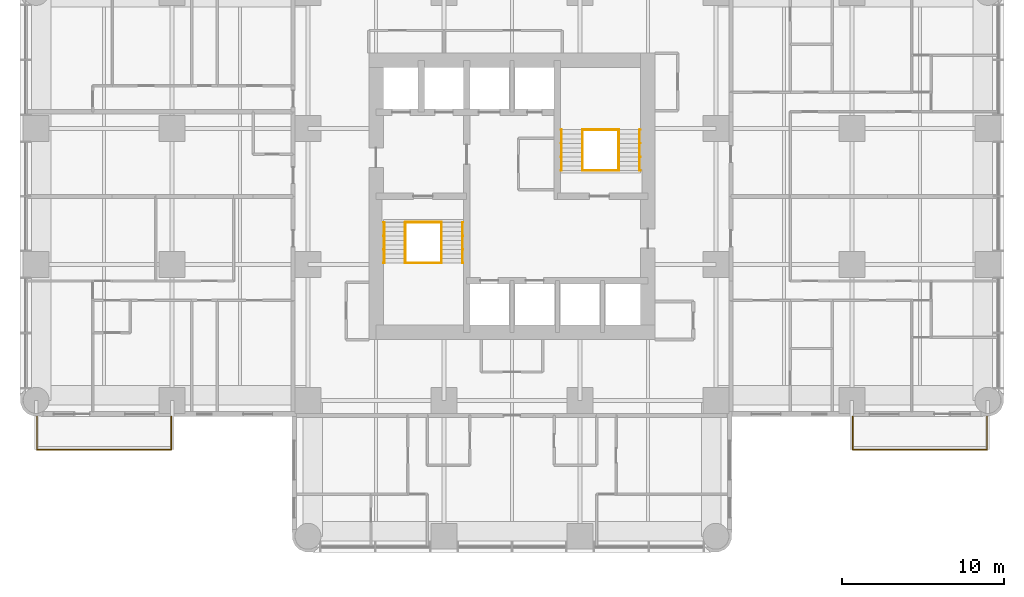
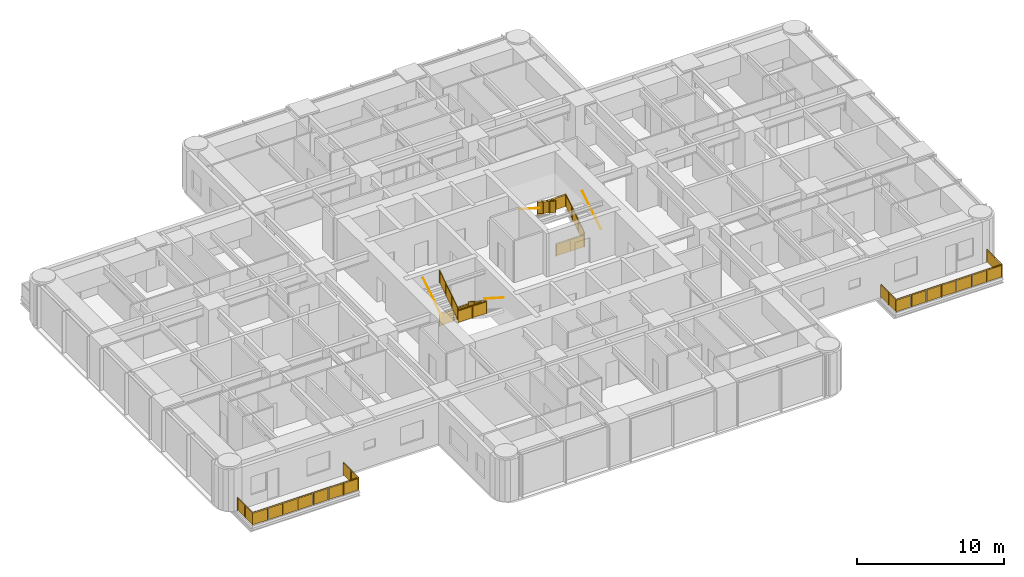
# One storey, part 14 of 15: 14 railings.
"""IFC4 building model written with IfcOpenShell, lengths in metres."""

from ifc_helpers import new_model, si_unit, direction, frame, origin, origin_2d, place, context, subcontext, project, spatial, polyline, circle, outline, extrude, material, constituent, constituent_set, type_object, element, save


model = new_model("IFC4")

# Units and contexts
model_context = context("Model", 3, precision=1e-05, world=origin(), true_north=direction((0.0, 1.0)))
body_context = subcontext(model_context, "Body", "Model", "MODEL_VIEW")
ifc_project = project(units=[si_unit("LENGTHUNIT", "METRE"), si_unit("AREAUNIT", "SQUARE_METRE"), si_unit("VOLUMEUNIT", "CUBIC_METRE"), si_unit("PLANEANGLEUNIT", "RADIAN"), si_unit("MASSUNIT", "GRAM", prefix="KILO")], contexts=[model_context])

# Site, building, storey
site_placement = place(None, origin())
site = spatial("IfcSite", under=ifc_project, at=site_placement, CompositionType="ELEMENT")
building_placement = place(site_placement, origin())
building = spatial("IfcBuilding", under=site, at=building_placement, Name="Torre Alcanfor", CompositionType="ELEMENT")
storey_placement = place(building_placement, frame((0.0, 0.0, 116.10009765625)))
storey = spatial("IfcBuildingStorey", under=building, at=storey_placement, Name="L29", CompositionType="ELEMENT", Elevation=116.10009765625)

# Railings
ifc_material_1 = material(Name="Laminated safety glass", Category="glass")
ifc_constituent_1 = constituent(ifc_material_1, Name="Infill")
ifc_material_2 = material(Name="Stainless steel ASTM A554 Grade MT 316L tube", Category="steel")
ifc_constituent_2 = constituent(ifc_material_2, Name="Posts and rail")
ifc_constituent_set = constituent_set(constituents=[ifc_constituent_1, ifc_constituent_2], Name="Balcony guard glass 1100")
railing_type_1 = type_object("IfcRailingType", Name="Balcony guard glass 1100", PredefinedType="BALUSTRADE", material=ifc_constituent_set)
railing_1_placement = place(storey_placement, frame((50.449951171875, 15.800048828125, 0.0)))
element("IfcRailing", 1, at=railing_1_placement, inside=storey, type_object=railing_type_1, Name="Balcony guard L29-E2", PredefinedType="BALUSTRADE", context=body_context, shape_type="SweptSolid", body=[
    extrude(circle(Radius=0.02392578125, at=origin_2d()), frame((0.0, 0.0, 1.076171875), z_axis=(0.0, -1.0, 0.0), x_axis=(1.0, 0.0, 0.0)), (0.0, 0.0, 1.0), 2.050048828125),
    extrude(circle(Radius=0.02392578125, at=origin_2d()), frame((0.0, -2.050048828125, 1.076171875), z_axis=(1.0, 0.0, 0.0), x_axis=(0.0, 1.0, 0.0)), (0.0, 0.0, 1.0), 8.300048828125),
    extrude(circle(Radius=0.02392578125, at=origin_2d()), frame((8.300048828125, -2.050048828125, 1.076171875), z_axis=(0.0, 1.0, 0.0), x_axis=(-1.0, 0.0, 0.0)), (0.0, 0.0, 1.0), 2.050048828125),
    extrude(circle(Radius=0.02099609375, at=origin_2d()), origin(), (0.0, 0.0, 1.0), 1.052001953125),
    extrude(circle(Radius=0.02099609375, at=origin_2d()), frame((0.0, -1.02490234375, 0.0)), (0.0, 0.0, 1.0), 1.052001953125),
    extrude(circle(Radius=0.02099609375, at=origin_2d()), frame((0.0, -2.050048828125, 0.0)), (0.0, 0.0, 1.0), 1.052001953125),
    extrude(circle(Radius=0.02099609375, at=origin_2d()), frame((1.185791015625, -2.050048828125, 0.0)), (0.0, 0.0, 1.0), 1.052001953125),
    extrude(circle(Radius=0.02099609375, at=origin_2d()), frame((2.371337890625, -2.050048828125, 0.0)), (0.0, 0.0, 1.0), 1.052001953125),
    extrude(circle(Radius=0.02099609375, at=origin_2d()), frame((3.55712890625, -2.050048828125, 0.0)), (0.0, 0.0, 1.0), 1.052001953125),
    extrude(circle(Radius=0.02099609375, at=origin_2d()), frame((4.742919921875, -2.050048828125, 0.0)), (0.0, 0.0, 1.0), 1.052001953125),
    extrude(circle(Radius=0.02099609375, at=origin_2d()), frame((5.9287109375, -2.050048828125, 0.0)), (0.0, 0.0, 1.0), 1.052001953125),
    extrude(circle(Radius=0.02099609375, at=origin_2d()), frame((7.1142578125, -2.050048828125, 0.0)), (0.0, 0.0, 1.0), 1.052001953125),
    extrude(circle(Radius=0.02099609375, at=origin_2d()), frame((8.300048828125, -2.050048828125, 0.0)), (0.0, 0.0, 1.0), 1.052001953125),
    extrude(circle(Radius=0.02099609375, at=origin_2d()), frame((8.300048828125, -1.02490234375, 0.0)), (0.0, 0.0, 1.0), 1.052001953125),
    extrude(circle(Radius=0.02099609375, at=origin_2d()), frame((8.300048828125, 0.0, 0.0)), (0.0, 0.0, 1.0), 1.052001953125),
    extrude(outline(polyline([(0.041015625, 0.050048828125), (0.984130859375, 0.050048828125), (0.984130859375, 1.001953125), (0.041015625, 1.001953125), (0.041015625, 0.050048828125)])), frame((0.005859375, 0.0, 0.0), z_axis=(-1.0, 0.0, 0.0), x_axis=(0.0, -1.0, 0.0)), (0.0, 0.0, 1.0), 0.011962890625),
    extrude(outline(polyline([(1.06591796875, 0.050048828125), (2.009033203125, 0.050048828125), (2.009033203125, 1.001953125), (1.06591796875, 1.001953125), (1.06591796875, 0.050048828125)])), frame((0.005859375, 0.0, 0.0), z_axis=(-1.0, 0.0, 0.0), x_axis=(0.0, -1.0, 0.0)), (0.0, 0.0, 1.0), 0.011962890625),
    extrude(outline(polyline([(0.041015625, 0.050048828125), (1.144775390625, 0.050048828125), (1.144775390625, 1.001953125), (0.041015625, 1.001953125), (0.041015625, 0.050048828125)])), frame((0.0, -2.0439453125, 0.0), z_axis=(0.0, -1.0, 0.0), x_axis=(1.0, 0.0, 0.0)), (0.0, 0.0, 1.0), 0.011962890625),
    extrude(outline(polyline([(1.226806640625, 0.050048828125), (2.330322265625, 0.050048828125), (2.330322265625, 1.001953125), (1.226806640625, 1.001953125), (1.226806640625, 0.050048828125)])), frame((0.0, -2.0439453125, 0.0), z_axis=(0.0, -1.0, 0.0), x_axis=(1.0, 0.0, 0.0)), (0.0, 0.0, 1.0), 0.011962890625),
    extrude(outline(polyline([(2.412353515625, 0.050048828125), (3.51611328125, 0.050048828125), (3.51611328125, 1.001953125), (2.412353515625, 1.001953125), (2.412353515625, 0.050048828125)])), frame((0.0, -2.0439453125, 0.0), z_axis=(0.0, -1.0, 0.0), x_axis=(1.0, 0.0, 0.0)), (0.0, 0.0, 1.0), 0.011962890625),
    extrude(outline(polyline([(3.59814453125, 0.050048828125), (4.701904296875, 0.050048828125), (4.701904296875, 1.001953125), (3.59814453125, 1.001953125), (3.59814453125, 0.050048828125)])), frame((0.0, -2.0439453125, 0.0), z_axis=(0.0, -1.0, 0.0), x_axis=(1.0, 0.0, 0.0)), (0.0, 0.0, 1.0), 0.011962890625),
    extrude(outline(polyline([(4.783935546875, 0.050048828125), (5.8876953125, 0.050048828125), (5.8876953125, 1.001953125), (4.783935546875, 1.001953125), (4.783935546875, 0.050048828125)])), frame((0.0, -2.0439453125, 0.0), z_axis=(0.0, -1.0, 0.0), x_axis=(1.0, 0.0, 0.0)), (0.0, 0.0, 1.0), 0.011962890625),
    extrude(outline(polyline([(5.9697265625, 0.050048828125), (7.0732421875, 0.050048828125), (7.0732421875, 1.001953125), (5.9697265625, 1.001953125), (5.9697265625, 0.050048828125)])), frame((0.0, -2.0439453125, 0.0), z_axis=(0.0, -1.0, 0.0), x_axis=(1.0, 0.0, 0.0)), (0.0, 0.0, 1.0), 0.011962890625),
    extrude(outline(polyline([(7.1552734375, 0.050048828125), (8.259033203125, 0.050048828125), (8.259033203125, 1.001953125), (7.1552734375, 1.001953125), (7.1552734375, 0.050048828125)])), frame((0.0, -2.0439453125, 0.0), z_axis=(0.0, -1.0, 0.0), x_axis=(1.0, 0.0, 0.0)), (0.0, 0.0, 1.0), 0.011962890625),
    extrude(outline(polyline([(0.041015625, 0.050048828125), (0.984130859375, 0.050048828125), (0.984130859375, 1.001953125), (0.041015625, 1.001953125), (0.041015625, 0.050048828125)])), frame((8.2939453125, -2.050048828125, 0.0), z_axis=(1.0, 0.0, 0.0), x_axis=(0.0, 1.0, 0.0)), (0.0, 0.0, 1.0), 0.011962890625),
    extrude(outline(polyline([(1.06591796875, 0.050048828125), (2.009033203125, 0.050048828125), (2.009033203125, 1.001953125), (1.06591796875, 1.001953125), (1.06591796875, 0.050048828125)])), frame((8.2939453125, -2.050048828125, 0.0), z_axis=(1.0, 0.0, 0.0), x_axis=(0.0, 1.0, 0.0)), (0.0, 0.0, 1.0), 0.011962890625),
])
railing_2_placement = place(storey_placement, frame((8.35009765625, 15.800048828125, 0.0)))
element("IfcRailing", 2, at=railing_2_placement, inside=storey, type_object=railing_type_1, Name="Balcony guard L29-W1", PredefinedType="BALUSTRADE", context=body_context, shape_type="SweptSolid", body=[
    extrude(circle(Radius=0.02392578125, at=origin_2d()), frame((0.0, 0.0, 1.076171875), z_axis=(0.0, -1.0, 0.0), x_axis=(1.0, 0.0, 0.0)), (0.0, 0.0, 1.0), 2.050048828125),
    extrude(circle(Radius=0.02392578125, at=origin_2d()), frame((0.0, -2.050048828125, 1.076171875), z_axis=(-1.0, 0.0, 0.0), x_axis=(0.0, -1.0, 0.0)), (0.0, 0.0, 1.0), 8.300048828125),
    extrude(circle(Radius=0.02392578125, at=origin_2d()), frame((-8.300048828125, -2.050048828125, 1.076171875), z_axis=(0.0, 1.0, 0.0), x_axis=(-1.0, 0.0, 0.0)), (0.0, 0.0, 1.0), 2.050048828125),
    extrude(circle(Radius=0.02099609375, at=origin_2d()), origin(), (0.0, 0.0, 1.0), 1.052001953125),
    extrude(circle(Radius=0.02099609375, at=origin_2d()), frame((0.0, -1.02490234375, 0.0)), (0.0, 0.0, 1.0), 1.052001953125),
    extrude(circle(Radius=0.02099609375, at=origin_2d()), frame((0.0, -2.050048828125, 0.0)), (0.0, 0.0, 1.0), 1.052001953125),
    extrude(circle(Radius=0.02099609375, at=origin_2d()), frame((-1.185791015625, -2.050048828125, 0.0)), (0.0, 0.0, 1.0), 1.052001953125),
    extrude(circle(Radius=0.02099609375, at=origin_2d()), frame((-2.371337890625, -2.050048828125, 0.0)), (0.0, 0.0, 1.0), 1.052001953125),
    extrude(circle(Radius=0.02099609375, at=origin_2d()), frame((-3.55712890625, -2.050048828125, 0.0)), (0.0, 0.0, 1.0), 1.052001953125),
    extrude(circle(Radius=0.02099609375, at=origin_2d()), frame((-4.742919921875, -2.050048828125, 0.0)), (0.0, 0.0, 1.0), 1.052001953125),
    extrude(circle(Radius=0.02099609375, at=origin_2d()), frame((-5.9287109375, -2.050048828125, 0.0)), (0.0, 0.0, 1.0), 1.052001953125),
    extrude(circle(Radius=0.02099609375, at=origin_2d()), frame((-7.1142578125, -2.050048828125, 0.0)), (0.0, 0.0, 1.0), 1.052001953125),
    extrude(circle(Radius=0.02099609375, at=origin_2d()), frame((-8.300048828125, -2.050048828125, 0.0)), (0.0, 0.0, 1.0), 1.052001953125),
    extrude(circle(Radius=0.02099609375, at=origin_2d()), frame((-8.300048828125, -1.02490234375, 0.0)), (0.0, 0.0, 1.0), 1.052001953125),
    extrude(circle(Radius=0.02099609375, at=origin_2d()), frame((-8.300048828125, 0.0, 0.0)), (0.0, 0.0, 1.0), 1.052001953125),
    extrude(outline(polyline([(0.041015625, 0.050048828125), (0.984130859375, 0.050048828125), (0.984130859375, 1.001953125), (0.041015625, 1.001953125), (0.041015625, 0.050048828125)])), frame((0.005859375, 0.0, 0.0), z_axis=(-1.0, 0.0, 0.0), x_axis=(0.0, -1.0, 0.0)), (0.0, 0.0, 1.0), 0.011962890625),
    extrude(outline(polyline([(1.06591796875, 0.050048828125), (2.009033203125, 0.050048828125), (2.009033203125, 1.001953125), (1.06591796875, 1.001953125), (1.06591796875, 0.050048828125)])), frame((0.005859375, 0.0, 0.0), z_axis=(-1.0, 0.0, 0.0), x_axis=(0.0, -1.0, 0.0)), (0.0, 0.0, 1.0), 0.011962890625),
    extrude(outline(polyline([(0.041015625, 0.050048828125), (1.144775390625, 0.050048828125), (1.144775390625, 1.001953125), (0.041015625, 1.001953125), (0.041015625, 0.050048828125)])), frame((0.0, -2.05615234375, 0.0), z_axis=(0.0, 1.0, 0.0), x_axis=(-1.0, 0.0, 0.0)), (0.0, 0.0, 1.0), 0.011962890625),
    extrude(outline(polyline([(1.226806640625, 0.050048828125), (2.330322265625, 0.050048828125), (2.330322265625, 1.001953125), (1.226806640625, 1.001953125), (1.226806640625, 0.050048828125)])), frame((0.0, -2.05615234375, 0.0), z_axis=(0.0, 1.0, 0.0), x_axis=(-1.0, 0.0, 0.0)), (0.0, 0.0, 1.0), 0.011962890625),
    extrude(outline(polyline([(2.412353515625, 0.050048828125), (3.51611328125, 0.050048828125), (3.51611328125, 1.001953125), (2.412353515625, 1.001953125), (2.412353515625, 0.050048828125)])), frame((0.0, -2.05615234375, 0.0), z_axis=(0.0, 1.0, 0.0), x_axis=(-1.0, 0.0, 0.0)), (0.0, 0.0, 1.0), 0.011962890625),
    extrude(outline(polyline([(3.59814453125, 0.050048828125), (4.701904296875, 0.050048828125), (4.701904296875, 1.001953125), (3.59814453125, 1.001953125), (3.59814453125, 0.050048828125)])), frame((0.0, -2.05615234375, 0.0), z_axis=(0.0, 1.0, 0.0), x_axis=(-1.0, 0.0, 0.0)), (0.0, 0.0, 1.0), 0.011962890625),
    extrude(outline(polyline([(4.783935546875, 0.050048828125), (5.8876953125, 0.050048828125), (5.8876953125, 1.001953125), (4.783935546875, 1.001953125), (4.783935546875, 0.050048828125)])), frame((0.0, -2.05615234375, 0.0), z_axis=(0.0, 1.0, 0.0), x_axis=(-1.0, 0.0, 0.0)), (0.0, 0.0, 1.0), 0.011962890625),
    extrude(outline(polyline([(5.9697265625, 0.050048828125), (7.0732421875, 0.050048828125), (7.0732421875, 1.001953125), (5.9697265625, 1.001953125), (5.9697265625, 0.050048828125)])), frame((0.0, -2.05615234375, 0.0), z_axis=(0.0, 1.0, 0.0), x_axis=(-1.0, 0.0, 0.0)), (0.0, 0.0, 1.0), 0.011962890625),
    extrude(outline(polyline([(7.1552734375, 0.050048828125), (8.259033203125, 0.050048828125), (8.259033203125, 1.001953125), (7.1552734375, 1.001953125), (7.1552734375, 0.050048828125)])), frame((0.0, -2.05615234375, 0.0), z_axis=(0.0, 1.0, 0.0), x_axis=(-1.0, 0.0, 0.0)), (0.0, 0.0, 1.0), 0.011962890625),
    extrude(outline(polyline([(0.041015625, 0.050048828125), (0.984130859375, 0.050048828125), (0.984130859375, 1.001953125), (0.041015625, 1.001953125), (0.041015625, 0.050048828125)])), frame((-8.30615234375, -2.050048828125, 0.0), z_axis=(1.0, 0.0, 0.0), x_axis=(0.0, 1.0, 0.0)), (0.0, 0.0, 1.0), 0.011962890625),
    extrude(outline(polyline([(1.06591796875, 0.050048828125), (2.009033203125, 0.050048828125), (2.009033203125, 1.001953125), (1.06591796875, 1.001953125), (1.06591796875, 0.050048828125)])), frame((-8.30615234375, -2.050048828125, 0.0), z_axis=(1.0, 0.0, 0.0), x_axis=(0.0, 1.0, 0.0)), (0.0, 0.0, 1.0), 0.011962890625),
])
ifc_material_3 = material(Name="Steel ASTM A500 Grade C hollow sections", Category="steel")
railing_type_2 = type_object("IfcRailingType", Name="Stair guard and handrail 1100", PredefinedType="GUARDRAIL", material=ifc_material_3)
railing_3_placement = place(storey_placement, frame((25.050048828125, 27.800048828125, 0.179931640625)))
element("IfcRailing", 3, at=railing_3_placement, inside=storey, type_object=railing_type_2, Name="Stair guard S1 L29 flight 1", PredefinedType="GUARDRAIL", context=body_context, shape_type="SweptSolid", body=[
    extrude(circle(Radius=0.02392578125, at=origin_2d()), frame((0.0, 0.0, 1.076171875), z_axis=(0.0, -0.841199657755, 0.540724639528), x_axis=(1.0, 0.0, 0.0)), (0.0, 0.0, 1.0), 2.995849609375),
    extrude(circle(Radius=0.02099609375, at=origin_2d()), origin(), (0.0, 0.0, 1.0), 1.052001953125),
    extrude(circle(Radius=0.02099609375, at=origin_2d()), frame((0.0, -0.840087890625, 0.5400390625)), (0.0, 0.0, 1.0), 1.052001953125),
    extrude(circle(Radius=0.02099609375, at=origin_2d()), frame((0.0, -1.679931640625, 1.079833984375)), (0.0, 0.0, 1.0), 1.052001953125),
    extrude(circle(Radius=0.02099609375, at=origin_2d()), frame((0.0, -2.52001953125, 1.619873046875)), (0.0, 0.0, 1.0), 1.052001953125),
    extrude(outline(polyline([(0.041015625, 0.076416015625), (0.799072265625, 0.563720703125), (0.799072265625, 1.515625), (0.041015625, 1.0283203125), (0.041015625, 0.076416015625)])), frame((0.005859375, 0.0, 0.0), z_axis=(-1.0, 0.0, 0.0), x_axis=(0.0, -1.0, 0.0)), (0.0, 0.0, 1.0), 0.011962890625),
    extrude(outline(polyline([(0.881103515625, 0.6162109375), (1.638916015625, 1.103515625), (1.638916015625, 2.0556640625), (0.881103515625, 1.568359375), (0.881103515625, 0.6162109375)])), frame((0.005859375, 0.0, 0.0), z_axis=(-1.0, 0.0, 0.0), x_axis=(0.0, -1.0, 0.0)), (0.0, 0.0, 1.0), 0.011962890625),
    extrude(outline(polyline([(1.720947265625, 1.15625), (2.47900390625, 1.6435546875), (2.47900390625, 2.595458984375), (1.720947265625, 2.108154296875), (1.720947265625, 1.15625)])), frame((0.005859375, 0.0, 0.0), z_axis=(-1.0, 0.0, 0.0), x_axis=(0.0, -1.0, 0.0)), (0.0, 0.0, 1.0), 0.011962890625),
])
railing_4_placement = place(storey_placement, frame((22.800048828125, 25.280029296875, 1.97998046875)))
element("IfcRailing", 4, at=railing_4_placement, inside=storey, type_object=railing_type_2, Name="Stair guard S1 L29 flight 2", PredefinedType="GUARDRAIL", context=body_context, shape_type="SweptSolid", body=[
    extrude(circle(Radius=0.02392578125, at=origin_2d()), frame((0.0, 0.0, 1.076171875), z_axis=(0.0, 0.841199657755, 0.540724639528), x_axis=(-1.0, 0.0, 0.0)), (0.0, 0.0, 1.0), 2.995849609375),
    extrude(circle(Radius=0.02099609375, at=origin_2d()), origin(), (0.0, 0.0, 1.0), 1.052001953125),
    extrude(circle(Radius=0.02099609375, at=origin_2d()), frame((0.0, 0.840087890625, 0.5400390625)), (0.0, 0.0, 1.0), 1.052001953125),
    extrude(circle(Radius=0.02099609375, at=origin_2d()), frame((0.0, 1.679931640625, 1.079833984375)), (0.0, 0.0, 1.0), 1.052001953125),
    extrude(circle(Radius=0.02099609375, at=origin_2d()), frame((0.0, 2.52001953125, 1.619873046875)), (0.0, 0.0, 1.0), 1.052001953125),
    extrude(outline(polyline([(0.041015625, 0.076416015625), (0.799072265625, 0.563720703125), (0.799072265625, 1.515625), (0.041015625, 1.0283203125), (0.041015625, 0.076416015625)])), frame((-0.005859375, 0.0, 0.0), z_axis=(1.0, 0.0, 0.0), x_axis=(0.0, 1.0, 0.0)), (0.0, 0.0, 1.0), 0.011962890625),
    extrude(outline(polyline([(0.881103515625, 0.6162109375), (1.638916015625, 1.103515625), (1.638916015625, 2.0556640625), (0.881103515625, 1.568359375), (0.881103515625, 0.6162109375)])), frame((-0.005859375, 0.0, 0.0), z_axis=(1.0, 0.0, 0.0), x_axis=(0.0, 1.0, 0.0)), (0.0, 0.0, 1.0), 0.011962890625),
    extrude(outline(polyline([(1.720947265625, 1.15625), (2.47900390625, 1.6435546875), (2.47900390625, 2.595458984375), (1.720947265625, 2.108154296875), (1.720947265625, 1.15625)])), frame((-0.005859375, 0.0, 0.0), z_axis=(1.0, 0.0, 0.0), x_axis=(0.0, 1.0, 0.0)), (0.0, 0.0, 1.0), 0.011962890625),
])
for number, where, name in (
    (5, (22.800048828125, 27.800048828125, 0.0), "Stair well guard S1 L29 floor landing"),
    (6, (22.800048828125, 25.280029296875, 1.7998046875), "Stair well guard S1 L29 half landing"),
):
    element("IfcRailing", number, at=place(storey_placement, frame(where)), inside=storey, type_object=railing_type_2, Name=name, PredefinedType="GUARDRAIL", context=body_context, shape_type="SweptSolid", body=[
        extrude(circle(Radius=0.02392578125, at=origin_2d()), frame((0.0, 0.0, 1.076171875), z_axis=(1.0, 0.0, 0.0), x_axis=(0.0, 1.0, 0.0)), (0.0, 0.0, 1.0), 2.25),
        extrude(circle(Radius=0.02099609375, at=origin_2d()), origin(), (0.0, 0.0, 1.0), 1.052001953125),
        extrude(circle(Radius=0.02099609375, at=origin_2d()), frame((1.125, 0.0, 0.0)), (0.0, 0.0, 1.0), 1.052001953125),
        extrude(circle(Radius=0.02099609375, at=origin_2d()), frame((2.25, 0.0, 0.0)), (0.0, 0.0, 1.0), 1.052001953125),
        extrude(outline(polyline([(0.041015625, 0.050048828125), (1.083984375, 0.050048828125), (1.083984375, 1.001953125), (0.041015625, 1.001953125), (0.041015625, 0.050048828125)])), frame((0.0, 0.005859375, 0.0), z_axis=(0.0, -1.0, 0.0), x_axis=(1.0, 0.0, 0.0)), (0.0, 0.0, 1.0), 0.011962890625),
        extrude(outline(polyline([(1.166015625, 0.050048828125), (2.208984375, 0.050048828125), (2.208984375, 1.001953125), (1.166015625, 1.001953125), (1.166015625, 0.050048828125)])), frame((0.0, 0.005859375, 0.0), z_axis=(0.0, -1.0, 0.0), x_axis=(1.0, 0.0, 0.0)), (0.0, 0.0, 1.0), 0.011962890625),
    ])
railing_5_placement = place(storey_placement, frame((36.0, 31.0, 0.179931640625)))
element("IfcRailing", 7, at=railing_5_placement, inside=storey, type_object=railing_type_2, Name="Stair guard S2 L29 flight 1", PredefinedType="GUARDRAIL", context=body_context, shape_type="SweptSolid", body=[
    extrude(circle(Radius=0.02392578125, at=origin_2d()), frame((0.0, 0.0, 1.076171875), z_axis=(0.0, 0.841199657755, 0.540724639528), x_axis=(-1.0, 0.0, 0.0)), (0.0, 0.0, 1.0), 2.995849609375),
    extrude(circle(Radius=0.02099609375, at=origin_2d()), origin(), (0.0, 0.0, 1.0), 1.052001953125),
    extrude(circle(Radius=0.02099609375, at=origin_2d()), frame((0.0, 0.840087890625, 0.5400390625)), (0.0, 0.0, 1.0), 1.052001953125),
    extrude(circle(Radius=0.02099609375, at=origin_2d()), frame((0.0, 1.679931640625, 1.079833984375)), (0.0, 0.0, 1.0), 1.052001953125),
    extrude(circle(Radius=0.02099609375, at=origin_2d()), frame((0.0, 2.52001953125, 1.619873046875)), (0.0, 0.0, 1.0), 1.052001953125),
    extrude(outline(polyline([(0.041015625, 0.076416015625), (0.799072265625, 0.563720703125), (0.799072265625, 1.515625), (0.041015625, 1.0283203125), (0.041015625, 0.076416015625)])), frame((-0.005859375, 0.0, 0.0), z_axis=(1.0, 0.0, 0.0), x_axis=(0.0, 1.0, 0.0)), (0.0, 0.0, 1.0), 0.011962890625),
    extrude(outline(polyline([(0.881103515625, 0.6162109375), (1.638916015625, 1.103515625), (1.638916015625, 2.0556640625), (0.881103515625, 1.568359375), (0.881103515625, 0.6162109375)])), frame((-0.005859375, 0.0, 0.0), z_axis=(1.0, 0.0, 0.0), x_axis=(0.0, 1.0, 0.0)), (0.0, 0.0, 1.0), 0.011962890625),
    extrude(outline(polyline([(1.720947265625, 1.15625), (2.47900390625, 1.6435546875), (2.47900390625, 2.595458984375), (1.720947265625, 2.108154296875), (1.720947265625, 1.15625)])), frame((-0.005859375, 0.0, 0.0), z_axis=(1.0, 0.0, 0.0), x_axis=(0.0, 1.0, 0.0)), (0.0, 0.0, 1.0), 0.011962890625),
])
railing_6_placement = place(storey_placement, frame((33.75, 33.52001953125, 1.97998046875)))
element("IfcRailing", 8, at=railing_6_placement, inside=storey, type_object=railing_type_2, Name="Stair guard S2 L29 flight 2", PredefinedType="GUARDRAIL", context=body_context, shape_type="SweptSolid", body=[
    extrude(circle(Radius=0.02392578125, at=origin_2d()), frame((0.0, 0.0, 1.076171875), z_axis=(0.0, -0.841199657755, 0.540724639528), x_axis=(1.0, 0.0, 0.0)), (0.0, 0.0, 1.0), 2.995849609375),
    extrude(circle(Radius=0.02099609375, at=origin_2d()), origin(), (0.0, 0.0, 1.0), 1.052001953125),
    extrude(circle(Radius=0.02099609375, at=origin_2d()), frame((0.0, -0.840087890625, 0.5400390625)), (0.0, 0.0, 1.0), 1.052001953125),
    extrude(circle(Radius=0.02099609375, at=origin_2d()), frame((0.0, -1.679931640625, 1.079833984375)), (0.0, 0.0, 1.0), 1.052001953125),
    extrude(circle(Radius=0.02099609375, at=origin_2d()), frame((0.0, -2.52001953125, 1.619873046875)), (0.0, 0.0, 1.0), 1.052001953125),
    extrude(outline(polyline([(0.041015625, 0.076416015625), (0.799072265625, 0.563720703125), (0.799072265625, 1.515625), (0.041015625, 1.0283203125), (0.041015625, 0.076416015625)])), frame((0.005859375, 0.0, 0.0), z_axis=(-1.0, 0.0, 0.0), x_axis=(0.0, -1.0, 0.0)), (0.0, 0.0, 1.0), 0.011962890625),
    extrude(outline(polyline([(0.881103515625, 0.6162109375), (1.638916015625, 1.103515625), (1.638916015625, 2.0556640625), (0.881103515625, 1.568359375), (0.881103515625, 0.6162109375)])), frame((0.005859375, 0.0, 0.0), z_axis=(-1.0, 0.0, 0.0), x_axis=(0.0, -1.0, 0.0)), (0.0, 0.0, 1.0), 0.011962890625),
    extrude(outline(polyline([(1.720947265625, 1.15625), (2.47900390625, 1.6435546875), (2.47900390625, 2.595458984375), (1.720947265625, 2.108154296875), (1.720947265625, 1.15625)])), frame((0.005859375, 0.0, 0.0), z_axis=(-1.0, 0.0, 0.0), x_axis=(0.0, -1.0, 0.0)), (0.0, 0.0, 1.0), 0.011962890625),
])
for number, where, name in (
    (9, (33.75, 31.0, 0.0), "Stair well guard S2 L29 floor landing"),
    (10, (33.75, 33.52001953125, 1.7998046875), "Stair well guard S2 L29 half landing"),
):
    element("IfcRailing", number, at=place(storey_placement, frame(where)), inside=storey, type_object=railing_type_2, Name=name, PredefinedType="GUARDRAIL", context=body_context, shape_type="SweptSolid", body=[
        extrude(circle(Radius=0.02392578125, at=origin_2d()), frame((0.0, 0.0, 1.076171875), z_axis=(1.0, 0.0, 0.0), x_axis=(0.0, 1.0, 0.0)), (0.0, 0.0, 1.0), 2.25),
        extrude(circle(Radius=0.02099609375, at=origin_2d()), origin(), (0.0, 0.0, 1.0), 1.052001953125),
        extrude(circle(Radius=0.02099609375, at=origin_2d()), frame((1.125, 0.0, 0.0)), (0.0, 0.0, 1.0), 1.052001953125),
        extrude(circle(Radius=0.02099609375, at=origin_2d()), frame((2.25, 0.0, 0.0)), (0.0, 0.0, 1.0), 1.052001953125),
        extrude(outline(polyline([(0.041015625, 0.050048828125), (1.083984375, 0.050048828125), (1.083984375, 1.001953125), (0.041015625, 1.001953125), (0.041015625, 0.050048828125)])), frame((0.0, 0.005859375, 0.0), z_axis=(0.0, -1.0, 0.0), x_axis=(1.0, 0.0, 0.0)), (0.0, 0.0, 1.0), 0.011962890625),
        extrude(outline(polyline([(1.166015625, 0.050048828125), (2.208984375, 0.050048828125), (2.208984375, 1.001953125), (1.166015625, 1.001953125), (1.166015625, 0.050048828125)])), frame((0.0, 0.005859375, 0.0), z_axis=(0.0, -1.0, 0.0), x_axis=(1.0, 0.0, 0.0)), (0.0, 0.0, 1.0), 0.011962890625),
    ])
ifc_material_4 = material(Name="Steel ASTM A500 Grade C hollow sections", Category="steel")
railing_type_3 = type_object("IfcRailingType", Name="Stair wall handrail 900", PredefinedType="HANDRAIL", material=ifc_material_4)
railing_7_placement = place(storey_placement, frame((26.3349609375, 27.800048828125, 0.179931640625)))
element("IfcRailing", 11, at=railing_7_placement, inside=storey, type_object=railing_type_3, Name="Stair handrail S1 L29 flight 1", PredefinedType="HANDRAIL", context=body_context, shape_type="SweptSolid", body=[
    extrude(circle(Radius=0.02392578125, at=origin_2d()), frame((0.0, 0.0, 0.8759765625), z_axis=(0.0, -0.841199657755, 0.540724639528), x_axis=(1.0, 0.0, 0.0)), (0.0, 0.0, 1.0), 2.995849609375),
    extrude(circle(Radius=0.008056640625, at=origin_2d()), frame((0.0, 0.0, 0.8759765625), z_axis=(1.0, 0.0, 0.0), x_axis=(0.0, 0.0, 1.0)), (0.0, 0.0, 1.0), 0.06494140625),
    extrude(circle(Radius=0.008056640625, at=origin_2d()), frame((0.0, -0.840087890625, 1.415771484375), z_axis=(1.0, 0.0, 0.0), x_axis=(0.0, 0.0, 1.0)), (0.0, 0.0, 1.0), 0.06494140625),
    extrude(circle(Radius=0.008056640625, at=origin_2d()), frame((0.0, -1.679931640625, 1.955810546875), z_axis=(1.0, 0.0, 0.0), x_axis=(0.0, 0.0, 1.0)), (0.0, 0.0, 1.0), 0.06494140625),
    extrude(circle(Radius=0.008056640625, at=origin_2d()), frame((0.0, -2.52001953125, 2.49560546875), z_axis=(1.0, 0.0, 0.0), x_axis=(0.0, 0.0, 1.0)), (0.0, 0.0, 1.0), 0.06494140625),
])
railing_8_placement = place(storey_placement, frame((21.514892578125, 25.280029296875, 1.97998046875)))
element("IfcRailing", 12, at=railing_8_placement, inside=storey, type_object=railing_type_3, Name="Stair handrail S1 L29 flight 2", PredefinedType="HANDRAIL", context=body_context, shape_type="SweptSolid", body=[
    extrude(circle(Radius=0.02392578125, at=origin_2d()), frame((0.0, 0.0, 0.8759765625), z_axis=(0.0, 0.841199657755, 0.540724639528), x_axis=(-1.0, 0.0, 0.0)), (0.0, 0.0, 1.0), 2.995849609375),
    extrude(circle(Radius=0.008056640625, at=origin_2d()), frame((0.0, 0.0, 0.8759765625), z_axis=(-1.0, 0.0, 0.0), x_axis=(0.0, 0.0, 1.0)), (0.0, 0.0, 1.0), 0.06494140625),
    extrude(circle(Radius=0.008056640625, at=origin_2d()), frame((0.0, 0.840087890625, 1.415771484375), z_axis=(-1.0, 0.0, 0.0), x_axis=(0.0, 0.0, 1.0)), (0.0, 0.0, 1.0), 0.06494140625),
    extrude(circle(Radius=0.008056640625, at=origin_2d()), frame((0.0, 1.679931640625, 1.955810546875), z_axis=(-1.0, 0.0, 0.0), x_axis=(0.0, 0.0, 1.0)), (0.0, 0.0, 1.0), 0.06494140625),
    extrude(circle(Radius=0.008056640625, at=origin_2d()), frame((0.0, 2.52001953125, 2.49560546875), z_axis=(-1.0, 0.0, 0.0), x_axis=(0.0, 0.0, 1.0)), (0.0, 0.0, 1.0), 0.06494140625),
])
railing_9_placement = place(storey_placement, frame((37.284912109375, 31.0, 0.179931640625)))
element("IfcRailing", 13, at=railing_9_placement, inside=storey, type_object=railing_type_3, Name="Stair handrail S2 L29 flight 1", PredefinedType="HANDRAIL", context=body_context, shape_type="SweptSolid", body=[
    extrude(circle(Radius=0.02392578125, at=origin_2d()), frame((0.0, 0.0, 0.8759765625), z_axis=(0.0, 0.841199657755, 0.540724639528), x_axis=(-1.0, 0.0, 0.0)), (0.0, 0.0, 1.0), 2.995849609375),
    extrude(circle(Radius=0.008056640625, at=origin_2d()), frame((0.0, 0.0, 0.8759765625), z_axis=(1.0, 0.0, 0.0), x_axis=(0.0, 0.0, 1.0)), (0.0, 0.0, 1.0), 0.06494140625),
    extrude(circle(Radius=0.008056640625, at=origin_2d()), frame((0.0, 0.840087890625, 1.415771484375), z_axis=(1.0, 0.0, 0.0), x_axis=(0.0, 0.0, 1.0)), (0.0, 0.0, 1.0), 0.06494140625),
    extrude(circle(Radius=0.008056640625, at=origin_2d()), frame((0.0, 1.679931640625, 1.955810546875), z_axis=(1.0, 0.0, 0.0), x_axis=(0.0, 0.0, 1.0)), (0.0, 0.0, 1.0), 0.06494140625),
    extrude(circle(Radius=0.008056640625, at=origin_2d()), frame((0.0, 2.52001953125, 2.49560546875), z_axis=(1.0, 0.0, 0.0), x_axis=(0.0, 0.0, 1.0)), (0.0, 0.0, 1.0), 0.06494140625),
])
railing_10_placement = place(storey_placement, frame((32.465087890625, 33.52001953125, 1.97998046875)))
element("IfcRailing", 14, at=railing_10_placement, inside=storey, type_object=railing_type_3, Name="Stair handrail S2 L29 flight 2", PredefinedType="HANDRAIL", context=body_context, shape_type="SweptSolid", body=[
    extrude(circle(Radius=0.02392578125, at=origin_2d()), frame((0.0, 0.0, 0.8759765625), z_axis=(0.0, -0.841199657755, 0.540724639528), x_axis=(1.0, 0.0, 0.0)), (0.0, 0.0, 1.0), 2.995849609375),
    extrude(circle(Radius=0.008056640625, at=origin_2d()), frame((0.0, 0.0, 0.8759765625), z_axis=(-1.0, 0.0, 0.0), x_axis=(0.0, 0.0, 1.0)), (0.0, 0.0, 1.0), 0.06494140625),
    extrude(circle(Radius=0.008056640625, at=origin_2d()), frame((0.0, -0.840087890625, 1.415771484375), z_axis=(-1.0, 0.0, 0.0), x_axis=(0.0, 0.0, 1.0)), (0.0, 0.0, 1.0), 0.06494140625),
    extrude(circle(Radius=0.008056640625, at=origin_2d()), frame((0.0, -1.679931640625, 1.955810546875), z_axis=(-1.0, 0.0, 0.0), x_axis=(0.0, 0.0, 1.0)), (0.0, 0.0, 1.0), 0.06494140625),
    extrude(circle(Radius=0.008056640625, at=origin_2d()), frame((0.0, -2.52001953125, 2.49560546875), z_axis=(-1.0, 0.0, 0.0), x_axis=(0.0, 0.0, 1.0)), (0.0, 0.0, 1.0), 0.06494140625),
])

save(model, "model.ifc")
